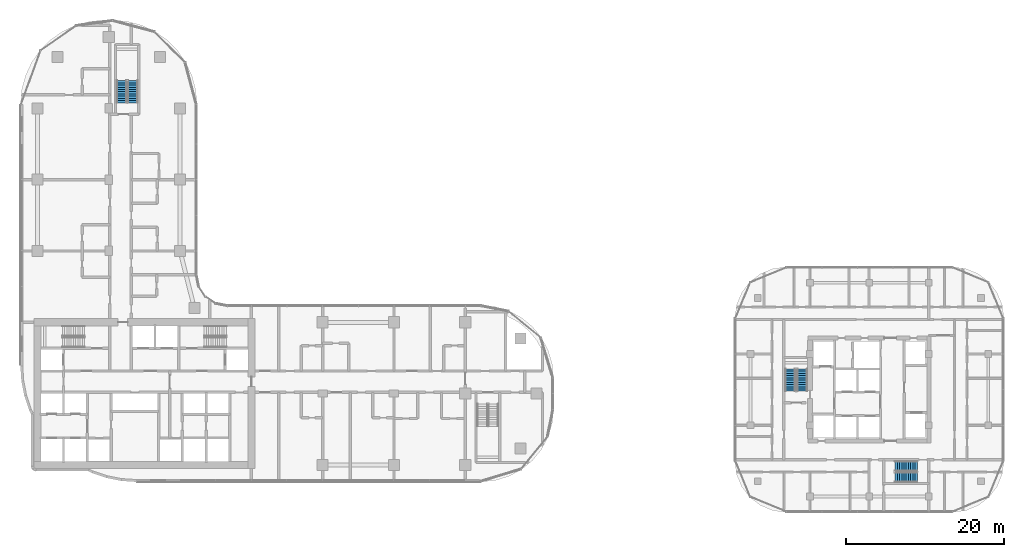
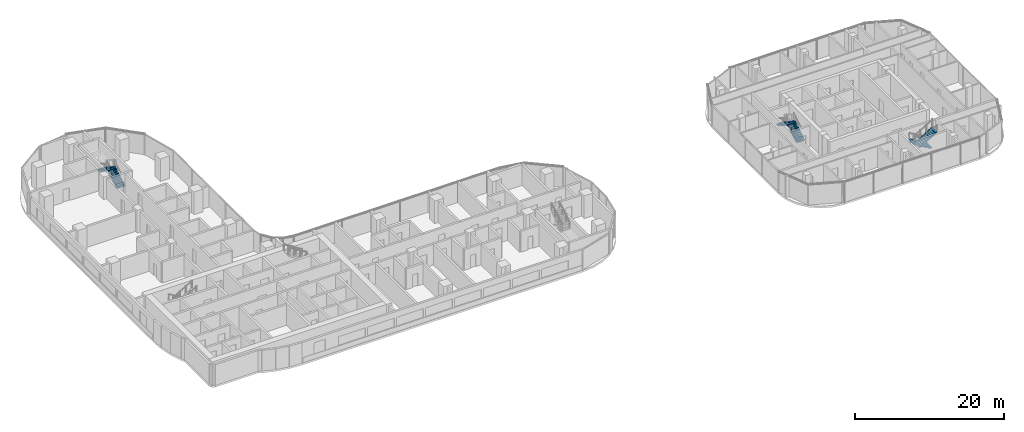
# One storey, part 26 of 32: 6 stair flights, 3 elements without a shape of their own.
"""IFC4 building model written with IfcOpenShell, lengths in metres."""

from ifc_helpers import new_model, si_unit, direction, frame, origin, place, context, subcontext, project, spatial, triangles, source, transform, mapped, material, type_object, element, aggregate, save


model = new_model("IFC4")

# Units and contexts
model_context = context("Model", 3, precision=1e-05, world=origin(), true_north=direction((0.0, 1.0)))
body_context = subcontext(model_context, "Body", "Model", "MODEL_VIEW")
ifc_project = project(units=[si_unit("LENGTHUNIT", "METRE"), si_unit("AREAUNIT", "SQUARE_METRE"), si_unit("VOLUMEUNIT", "CUBIC_METRE"), si_unit("PLANEANGLEUNIT", "RADIAN"), si_unit("MASSUNIT", "GRAM", prefix="KILO")], contexts=[model_context])

# Site, building, storey
site_placement = place(None, origin())
site = spatial("IfcSite", under=ifc_project, at=site_placement, CompositionType="ELEMENT")
building_placement = place(site_placement, origin())
building = spatial("IfcBuilding", under=site, at=building_placement, Name="Ogive Portal Towers", CompositionType="ELEMENT")
storey_placement = place(building_placement, frame((0.0, 0.0, 59.39990234375)))
storey = spatial("IfcBuildingStorey", under=building, at=storey_placement, Name="L13", CompositionType="ELEMENT", Elevation=59.39990234375)

# Stair, stair flights
ifc_material = material(Name="Concrete C40/50", Category="concrete")
stair_type = type_object("IfcStairType", Name="INT-STAIR", PredefinedType="HALF_TURN_STAIR", material=ifc_material)
stair_1_placement = place(storey_placement, origin())
stair_1 = element("IfcStair", 1, at=stair_1_placement, inside=storey, type_object=stair_type, Name="L13 Exit Stair ST-A3", PredefinedType="HALF_TURN_STAIR")
stair_flight_type = type_object("IfcStairFlightType", Name="INT-FLIGHT", PredefinedType="STRAIGHT", material=ifc_material)
shared_shape = source(origin(), body_context, "Body", "Tessellation", [
    triangles([(0.0, -0.650146484375, 0.0), (0.0, -0.376220703125, 0.0), (0.0, -0.192626953125, 0.0), (0.0, -0.081298828125, 0.0), (0.0, -0.024169921875, 0.0), (0.0, -0.003173828125, 0.0), (0.0, 0.0, 0.0), (0.0, 0.0029296875, 0.0), (0.0, 0.02392578125, 0.0), (0.0, 0.0810546875, 0.0), (0.0, 0.1923828125, 0.0), (0.0, 0.3759765625, 0.0), (0.0, 0.64990234375, 0.0), (0.0, -0.650146484375, 0.168212890625), (0.0, -0.376220703125, 0.168212890625), (0.0, -0.192626953125, 0.168212890625), (0.0, -0.081298828125, 0.168212890625), (0.0, -0.024169921875, 0.168212890625), (0.0, -0.003173828125, 0.168212890625), (0.0, 0.0, 0.168212890625), (0.0, 0.0029296875, 0.168212890625), (0.0, 0.02392578125, 0.168212890625), (0.0, 0.0810546875, 0.168212890625), (0.0, 0.1923828125, 0.168212890625), (0.0, 0.3759765625, 0.168212890625), (0.0, 0.64990234375, 0.168212890625), (0.280029296875, -0.650146484375, 0.168212890625), (0.280029296875, -0.376220703125, 0.168212890625), (0.280029296875, -0.192626953125, 0.168212890625), (0.280029296875, -0.081298828125, 0.168212890625), (0.280029296875, -0.024169921875, 0.168212890625), (0.280029296875, -0.003173828125, 0.168212890625), (0.280029296875, 0.0, 0.168212890625), (0.280029296875, 0.0029296875, 0.168212890625), (0.280029296875, 0.02392578125, 0.168212890625), (0.280029296875, 0.0810546875, 0.168212890625), (0.280029296875, 0.1923828125, 0.168212890625), (0.280029296875, 0.3759765625, 0.168212890625), (0.280029296875, 0.64990234375, 0.168212890625), (0.280029296875, -0.650146484375, 0.33642578125), (0.280029296875, -0.376220703125, 0.33642578125), (0.280029296875, -0.192626953125, 0.33642578125), (0.280029296875, -0.081298828125, 0.33642578125), (0.280029296875, -0.024169921875, 0.33642578125), (0.280029296875, -0.003173828125, 0.33642578125), (0.280029296875, 0.0, 0.33642578125), (0.280029296875, 0.0029296875, 0.33642578125), (0.280029296875, 0.02392578125, 0.33642578125), (0.280029296875, 0.0810546875, 0.33642578125), (0.280029296875, 0.1923828125, 0.33642578125), (0.280029296875, 0.3759765625, 0.33642578125), (0.280029296875, 0.64990234375, 0.33642578125), (0.56005859375, -0.650146484375, 0.33642578125), (0.56005859375, -0.376220703125, 0.33642578125), (0.56005859375, -0.192626953125, 0.33642578125), (0.56005859375, -0.081298828125, 0.33642578125), (0.56005859375, -0.024169921875, 0.33642578125), (0.56005859375, -0.003173828125, 0.33642578125), (0.56005859375, 0.0, 0.33642578125), (0.56005859375, 0.0029296875, 0.33642578125), (0.56005859375, 0.02392578125, 0.33642578125), (0.56005859375, 0.0810546875, 0.33642578125), (0.56005859375, 0.1923828125, 0.33642578125), (0.56005859375, 0.3759765625, 0.33642578125), (0.56005859375, 0.64990234375, 0.33642578125), (0.56005859375, -0.650146484375, 0.504638671875), (0.56005859375, -0.376220703125, 0.504638671875), (0.56005859375, -0.192626953125, 0.504638671875), (0.56005859375, -0.081298828125, 0.504638671875), (0.56005859375, -0.024169921875, 0.504638671875), (0.56005859375, -0.003173828125, 0.504638671875), (0.56005859375, 0.0, 0.504638671875), (0.56005859375, 0.0029296875, 0.504638671875), (0.56005859375, 0.02392578125, 0.504638671875), (0.56005859375, 0.0810546875, 0.504638671875), (0.56005859375, 0.1923828125, 0.504638671875), (0.56005859375, 0.3759765625, 0.504638671875), (0.56005859375, 0.64990234375, 0.504638671875), (0.840087890625, -0.650146484375, 0.504638671875), (0.840087890625, -0.376220703125, 0.504638671875), (0.840087890625, -0.192626953125, 0.504638671875), (0.840087890625, -0.081298828125, 0.504638671875), (0.840087890625, -0.024169921875, 0.504638671875), (0.840087890625, -0.003173828125, 0.504638671875), (0.840087890625, 0.0, 0.504638671875), (0.840087890625, 0.0029296875, 0.504638671875), (0.840087890625, 0.02392578125, 0.504638671875), (0.840087890625, 0.0810546875, 0.504638671875), (0.840087890625, 0.1923828125, 0.504638671875), (0.840087890625, 0.3759765625, 0.504638671875), (0.840087890625, 0.64990234375, 0.504638671875), (0.840087890625, -0.650146484375, 0.672607421875), (0.840087890625, -0.376220703125, 0.672607421875), (0.840087890625, -0.192626953125, 0.672607421875), (0.840087890625, -0.081298828125, 0.672607421875), (0.840087890625, -0.024169921875, 0.672607421875), (0.840087890625, -0.003173828125, 0.672607421875), (0.840087890625, 0.0, 0.672607421875), (0.840087890625, 0.0029296875, 0.672607421875), (0.840087890625, 0.02392578125, 0.672607421875), (0.840087890625, 0.0810546875, 0.672607421875), (0.840087890625, 0.1923828125, 0.672607421875), (0.840087890625, 0.3759765625, 0.672607421875), (0.840087890625, 0.64990234375, 0.672607421875), (1.1201171875, -0.650146484375, 0.672607421875), (1.1201171875, -0.376220703125, 0.672607421875), (1.1201171875, -0.192626953125, 0.672607421875), (1.1201171875, -0.081298828125, 0.672607421875), (1.1201171875, -0.024169921875, 0.672607421875), (1.1201171875, -0.003173828125, 0.672607421875), (1.1201171875, 0.0, 0.672607421875), (1.1201171875, 0.0029296875, 0.672607421875), (1.1201171875, 0.02392578125, 0.672607421875), (1.1201171875, 0.0810546875, 0.672607421875), (1.1201171875, 0.1923828125, 0.672607421875), (1.1201171875, 0.3759765625, 0.672607421875), (1.1201171875, 0.64990234375, 0.672607421875), (1.1201171875, -0.650146484375, 0.8408203125), (1.1201171875, -0.376220703125, 0.8408203125), (1.1201171875, -0.192626953125, 0.8408203125), (1.1201171875, -0.081298828125, 0.8408203125), (1.1201171875, -0.024169921875, 0.8408203125), (1.1201171875, -0.003173828125, 0.8408203125), (1.1201171875, 0.0, 0.8408203125), (1.1201171875, 0.0029296875, 0.8408203125), (1.1201171875, 0.02392578125, 0.8408203125), (1.1201171875, 0.0810546875, 0.8408203125), (1.1201171875, 0.1923828125, 0.8408203125), (1.1201171875, 0.3759765625, 0.8408203125), (1.1201171875, 0.64990234375, 0.8408203125), (1.39990234375, -0.650146484375, 0.8408203125), (1.39990234375, -0.376220703125, 0.8408203125), (1.39990234375, -0.192626953125, 0.8408203125), (1.39990234375, -0.081298828125, 0.8408203125), (1.39990234375, -0.024169921875, 0.8408203125), (1.39990234375, -0.003173828125, 0.8408203125), (1.39990234375, 0.0, 0.8408203125), (1.39990234375, 0.0029296875, 0.8408203125), (1.39990234375, 0.02392578125, 0.8408203125), (1.39990234375, 0.0810546875, 0.8408203125), (1.39990234375, 0.1923828125, 0.8408203125), (1.39990234375, 0.3759765625, 0.8408203125), (1.39990234375, 0.64990234375, 0.8408203125), (1.39990234375, -0.650146484375, 1.009033203125), (1.39990234375, -0.376220703125, 1.009033203125), (1.39990234375, -0.192626953125, 1.009033203125), (1.39990234375, -0.081298828125, 1.009033203125), (1.39990234375, -0.024169921875, 1.009033203125), (1.39990234375, -0.003173828125, 1.009033203125), (1.39990234375, 0.0, 1.009033203125), (1.39990234375, 0.0029296875, 1.009033203125), (1.39990234375, 0.02392578125, 1.009033203125), (1.39990234375, 0.0810546875, 1.009033203125), (1.39990234375, 0.1923828125, 1.009033203125), (1.39990234375, 0.3759765625, 1.009033203125), (1.39990234375, 0.64990234375, 1.009033203125), (1.679931640625, -0.650146484375, 1.009033203125), (1.679931640625, -0.376220703125, 1.009033203125), (1.679931640625, -0.192626953125, 1.009033203125), (1.679931640625, -0.081298828125, 1.009033203125), (1.679931640625, -0.024169921875, 1.009033203125), (1.679931640625, -0.003173828125, 1.009033203125), (1.679931640625, 0.0, 1.009033203125), (1.679931640625, 0.0029296875, 1.009033203125), (1.679931640625, 0.02392578125, 1.009033203125), (1.679931640625, 0.0810546875, 1.009033203125), (1.679931640625, 0.1923828125, 1.009033203125), (1.679931640625, 0.3759765625, 1.009033203125), (1.679931640625, 0.64990234375, 1.009033203125), (1.679931640625, -0.650146484375, 1.17724609375), (1.679931640625, -0.376220703125, 1.17724609375), (1.679931640625, -0.192626953125, 1.17724609375), (1.679931640625, -0.081298828125, 1.17724609375), (1.679931640625, -0.024169921875, 1.17724609375), (1.679931640625, -0.003173828125, 1.17724609375), (1.679931640625, 0.0, 1.17724609375), (1.679931640625, 0.0029296875, 1.17724609375), (1.679931640625, 0.02392578125, 1.17724609375), (1.679931640625, 0.0810546875, 1.17724609375), (1.679931640625, 0.1923828125, 1.17724609375), (1.679931640625, 0.3759765625, 1.17724609375), (1.679931640625, 0.64990234375, 1.17724609375), (1.9599609375, -0.650146484375, 1.17724609375), (1.9599609375, -0.376220703125, 1.17724609375), (1.9599609375, -0.192626953125, 1.17724609375), (1.9599609375, -0.081298828125, 1.17724609375), (1.9599609375, -0.024169921875, 1.17724609375), (1.9599609375, -0.003173828125, 1.17724609375), (1.9599609375, 0.0, 1.17724609375), (1.9599609375, 0.0029296875, 1.17724609375), (1.9599609375, 0.02392578125, 1.17724609375), (1.9599609375, 0.0810546875, 1.17724609375), (1.9599609375, 0.1923828125, 1.17724609375), (1.9599609375, 0.3759765625, 1.17724609375), (1.9599609375, 0.64990234375, 1.17724609375), (1.9599609375, -0.650146484375, 1.345458984375), (1.9599609375, -0.376220703125, 1.345458984375), (1.9599609375, -0.192626953125, 1.345458984375), (1.9599609375, -0.081298828125, 1.345458984375), (1.9599609375, -0.024169921875, 1.345458984375), (1.9599609375, -0.003173828125, 1.345458984375), (1.9599609375, 0.0, 1.345458984375), (1.9599609375, 0.0029296875, 1.345458984375), (1.9599609375, 0.02392578125, 1.345458984375), (1.9599609375, 0.0810546875, 1.345458984375), (1.9599609375, 0.1923828125, 1.345458984375), (1.9599609375, 0.3759765625, 1.345458984375), (1.9599609375, 0.64990234375, 1.345458984375), (2.239990234375, -0.650146484375, 1.345458984375), (2.239990234375, -0.376220703125, 1.345458984375), (2.239990234375, -0.192626953125, 1.345458984375), (2.239990234375, -0.081298828125, 1.345458984375), (2.239990234375, -0.024169921875, 1.345458984375), (2.239990234375, -0.003173828125, 1.345458984375), (2.239990234375, 0.0, 1.345458984375), (2.239990234375, 0.0029296875, 1.345458984375), (2.239990234375, 0.02392578125, 1.345458984375), (2.239990234375, 0.0810546875, 1.345458984375), (2.239990234375, 0.1923828125, 1.345458984375), (2.239990234375, 0.3759765625, 1.345458984375), (2.239990234375, 0.64990234375, 1.345458984375), (2.239990234375, -0.650146484375, 1.513671875), (2.239990234375, -0.376220703125, 1.513671875), (2.239990234375, -0.192626953125, 1.513671875), (2.239990234375, -0.081298828125, 1.513671875), (2.239990234375, -0.024169921875, 1.513671875), (2.239990234375, -0.003173828125, 1.513671875), (2.239990234375, 0.0, 1.513671875), (2.239990234375, 0.0029296875, 1.513671875), (2.239990234375, 0.02392578125, 1.513671875), (2.239990234375, 0.0810546875, 1.513671875), (2.239990234375, 0.1923828125, 1.513671875), (2.239990234375, 0.3759765625, 1.513671875), (2.239990234375, 0.64990234375, 1.513671875), (2.52001953125, -0.650146484375, 1.513671875), (2.52001953125, -0.376220703125, 1.513671875), (2.52001953125, -0.192626953125, 1.513671875), (2.52001953125, -0.081298828125, 1.513671875), (2.52001953125, -0.024169921875, 1.513671875), (2.52001953125, -0.003173828125, 1.513671875), (2.52001953125, 0.0, 1.513671875), (2.52001953125, 0.0029296875, 1.513671875), (2.52001953125, 0.02392578125, 1.513671875), (2.52001953125, 0.0810546875, 1.513671875), (2.52001953125, 0.1923828125, 1.513671875), (2.52001953125, 0.3759765625, 1.513671875), (2.52001953125, 0.64990234375, 1.513671875), (2.52001953125, -0.650146484375, 1.681884765625), (2.52001953125, -0.376220703125, 1.681884765625), (2.52001953125, -0.192626953125, 1.681884765625), (2.52001953125, -0.081298828125, 1.681884765625), (2.52001953125, -0.024169921875, 1.681884765625), (2.52001953125, -0.003173828125, 1.681884765625), (2.52001953125, 0.0, 1.681884765625), (2.52001953125, 0.0029296875, 1.681884765625), (2.52001953125, 0.02392578125, 1.681884765625), (2.52001953125, 0.0810546875, 1.681884765625), (2.52001953125, 0.1923828125, 1.681884765625), (2.52001953125, 0.3759765625, 1.681884765625), (2.52001953125, 0.64990234375, 1.681884765625), (2.800048828125, -0.650146484375, 1.681884765625), (2.800048828125, -0.376220703125, 1.681884765625), (2.800048828125, -0.192626953125, 1.681884765625), (2.800048828125, -0.081298828125, 1.681884765625), (2.800048828125, -0.024169921875, 1.681884765625), (2.800048828125, -0.003173828125, 1.681884765625), (2.800048828125, 0.0, 1.681884765625), (2.800048828125, 0.0029296875, 1.681884765625), (2.800048828125, 0.02392578125, 1.681884765625), (2.800048828125, 0.0810546875, 1.681884765625), (2.800048828125, 0.1923828125, 1.681884765625), (2.800048828125, 0.3759765625, 1.681884765625), (2.800048828125, 0.64990234375, 1.681884765625), (2.800048828125, -0.650146484375, 1.5068359375), (2.800048828125, -0.376220703125, 1.5068359375), (2.800048828125, -0.192626953125, 1.5068359375), (2.800048828125, -0.081298828125, 1.5068359375), (2.800048828125, -0.024169921875, 1.5068359375), (2.800048828125, -0.003173828125, 1.5068359375), (2.800048828125, 0.0, 1.5068359375), (2.800048828125, 0.0029296875, 1.5068359375), (2.800048828125, 0.02392578125, 1.5068359375), (2.800048828125, 0.0810546875, 1.5068359375), (2.800048828125, 0.1923828125, 1.5068359375), (2.800048828125, 0.3759765625, 1.5068359375), (2.800048828125, 0.64990234375, 1.5068359375), (0.291015625, -0.650146484375, 0.0), (0.291015625, -0.376220703125, 0.0), (0.291015625, -0.192626953125, 0.0), (0.291015625, -0.081298828125, 0.0), (0.291015625, -0.024169921875, 0.0), (0.291015625, -0.003173828125, 0.0), (0.291015625, 0.0, 0.0), (0.291015625, 0.0029296875, 0.0), (0.291015625, 0.02392578125, 0.0), (0.291015625, 0.0810546875, 0.0), (0.291015625, 0.1923828125, 0.0), (0.291015625, 0.3759765625, 0.0), (0.291015625, 0.64990234375, 0.0)], [[1, 14, 15], [1, 15, 2], [2, 15, 16], [2, 16, 3], [3, 16, 17], [3, 17, 4], [4, 17, 18], [4, 18, 5], [5, 18, 19], [5, 19, 6], [6, 19, 20], [6, 20, 7], [7, 20, 21], [7, 21, 8], [8, 21, 22], [8, 22, 9], [9, 22, 23], [9, 23, 10], [10, 23, 24], [10, 24, 11], [11, 24, 25], [11, 25, 12], [12, 25, 26], [12, 26, 13], [14, 27, 28], [14, 28, 15], [15, 28, 29], [15, 29, 16], [16, 29, 30], [16, 30, 17], [17, 30, 31], [17, 31, 18], [18, 31, 32], [18, 32, 19], [19, 32, 33], [19, 33, 20], [20, 33, 34], [20, 34, 21], [21, 34, 35], [21, 35, 22], [22, 35, 36], [22, 36, 23], [23, 36, 37], [23, 37, 24], [24, 37, 38], [24, 38, 25], [25, 38, 39], [25, 39, 26], [27, 40, 41], [27, 41, 28], [28, 41, 42], [28, 42, 29], [29, 42, 43], [29, 43, 30], [30, 43, 44], [30, 44, 31], [31, 44, 45], [31, 45, 32], [32, 45, 46], [32, 46, 33], [33, 46, 47], [33, 47, 34], [34, 47, 48], [34, 48, 35], [35, 48, 49], [35, 49, 36], [36, 49, 50], [36, 50, 37], [37, 50, 51], [37, 51, 38], [38, 51, 52], [38, 52, 39], [40, 53, 54], [40, 54, 41], [41, 54, 55], [41, 55, 42], [42, 55, 56], [42, 56, 43], [43, 56, 57], [43, 57, 44], [44, 57, 58], [44, 58, 45], [45, 58, 59], [45, 59, 46], [46, 59, 60], [46, 60, 47], [47, 60, 61], [47, 61, 48], [48, 61, 62], [48, 62, 49], [49, 62, 63], [49, 63, 50], [50, 63, 64], [50, 64, 51], [51, 64, 65], [51, 65, 52], [53, 66, 67], [53, 67, 54], [54, 67, 68], [54, 68, 55], [55, 68, 69], [55, 69, 56], [56, 69, 70], [56, 70, 57], [57, 70, 71], [57, 71, 58], [58, 71, 72], [58, 72, 59], [59, 72, 73], [59, 73, 60], [60, 73, 74], [60, 74, 61], [61, 74, 75], [61, 75, 62], [62, 75, 76], [62, 76, 63], [63, 76, 77], [63, 77, 64], [64, 77, 78], [64, 78, 65], [66, 79, 80], [66, 80, 67], [67, 80, 81], [67, 81, 68], [68, 81, 82], [68, 82, 69], [69, 82, 83], [69, 83, 70], [70, 83, 84], [70, 84, 71], [71, 84, 85], [71, 85, 72], [72, 85, 86], [72, 86, 73], [73, 86, 87], [73, 87, 74], [74, 87, 88], [74, 88, 75], [75, 88, 89], [75, 89, 76], [76, 89, 90], [76, 90, 77], [77, 90, 91], [77, 91, 78], [79, 92, 93], [79, 93, 80], [80, 93, 94], [80, 94, 81], [81, 94, 95], [81, 95, 82], [82, 95, 96], [82, 96, 83], [83, 96, 97], [83, 97, 84], [84, 97, 98], [84, 98, 85], [85, 98, 99], [85, 99, 86], [86, 99, 100], [86, 100, 87], [87, 100, 101], [87, 101, 88], [88, 101, 102], [88, 102, 89], [89, 102, 103], [89, 103, 90], [90, 103, 104], [90, 104, 91], [92, 105, 106], [92, 106, 93], [93, 106, 107], [93, 107, 94], [94, 107, 108], [94, 108, 95], [95, 108, 109], [95, 109, 96], [96, 109, 110], [96, 110, 97], [97, 110, 111], [97, 111, 98], [98, 111, 112], [98, 112, 99], [99, 112, 113], [99, 113, 100], [100, 113, 114], [100, 114, 101], [101, 114, 115], [101, 115, 102], [102, 115, 116], [102, 116, 103], [103, 116, 117], [103, 117, 104], [105, 118, 119], [105, 119, 106], [106, 119, 120], [106, 120, 107], [107, 120, 121], [107, 121, 108], [108, 121, 122], [108, 122, 109], [109, 122, 123], [109, 123, 110], [110, 123, 124], [110, 124, 111], [111, 124, 125], [111, 125, 112], [112, 125, 126], [112, 126, 113], [113, 126, 127], [113, 127, 114], [114, 127, 128], [114, 128, 115], [115, 128, 129], [115, 129, 116], [116, 129, 130], [116, 130, 117], [118, 131, 132], [118, 132, 119], [119, 132, 133], [119, 133, 120], [120, 133, 134], [120, 134, 121], [121, 134, 135], [121, 135, 122], [122, 135, 136], [122, 136, 123], [123, 136, 137], [123, 137, 124], [124, 137, 138], [124, 138, 125], [125, 138, 139], [125, 139, 126], [126, 139, 140], [126, 140, 127], [127, 140, 141], [127, 141, 128], [128, 141, 142], [128, 142, 129], [129, 142, 143], [129, 143, 130], [131, 144, 145], [131, 145, 132], [132, 145, 146], [132, 146, 133], [133, 146, 147], [133, 147, 134], [134, 147, 148], [134, 148, 135], [135, 148, 149], [135, 149, 136], [136, 149, 150], [136, 150, 137], [137, 150, 151], [137, 151, 138], [138, 151, 152], [138, 152, 139], [139, 152, 153], [139, 153, 140], [140, 153, 154], [140, 154, 141], [141, 154, 155], [141, 155, 142], [142, 155, 156], [142, 156, 143], [144, 157, 158], [144, 158, 145], [145, 158, 159], [145, 159, 146], [146, 159, 160], [146, 160, 147], [147, 160, 161], [147, 161, 148], [148, 161, 162], [148, 162, 149], [149, 162, 163], [149, 163, 150], [150, 163, 164], [150, 164, 151], [151, 164, 165], [151, 165, 152], [152, 165, 166], [152, 166, 153], [153, 166, 167], [153, 167, 154], [154, 167, 168], [154, 168, 155], [155, 168, 169], [155, 169, 156], [157, 170, 171], [157, 171, 158], [158, 171, 172], [158, 172, 159], [159, 172, 173], [159, 173, 160], [160, 173, 174], [160, 174, 161], [161, 174, 175], [161, 175, 162], [162, 175, 176], [162, 176, 163], [163, 176, 177], [163, 177, 164], [164, 177, 178], [164, 178, 165], [165, 178, 179], [165, 179, 166], [166, 179, 180], [166, 180, 167], [167, 180, 181], [167, 181, 168], [168, 181, 182], [168, 182, 169], [170, 183, 184], [170, 184, 171], [171, 184, 185], [171, 185, 172], [172, 185, 186], [172, 186, 173], [173, 186, 187], [173, 187, 174], [174, 187, 188], [174, 188, 175], [175, 188, 189], [175, 189, 176], [176, 189, 190], [176, 190, 177], [177, 190, 191], [177, 191, 178], [178, 191, 192], [178, 192, 179], [179, 192, 193], [179, 193, 180], [180, 193, 194], [180, 194, 181], [181, 194, 195], [181, 195, 182], [183, 196, 197], [183, 197, 184], [184, 197, 198], [184, 198, 185], [185, 198, 199], [185, 199, 186], [186, 199, 200], [186, 200, 187], [187, 200, 201], [187, 201, 188], [188, 201, 202], [188, 202, 189], [189, 202, 203], [189, 203, 190], [190, 203, 204], [190, 204, 191], [191, 204, 205], [191, 205, 192], [192, 205, 206], [192, 206, 193], [193, 206, 207], [193, 207, 194], [194, 207, 208], [194, 208, 195], [196, 209, 210], [196, 210, 197], [197, 210, 211], [197, 211, 198], [198, 211, 212], [198, 212, 199], [199, 212, 213], [199, 213, 200], [200, 213, 214], [200, 214, 201], [201, 214, 215], [201, 215, 202], [202, 215, 216], [202, 216, 203], [203, 216, 217], [203, 217, 204], [204, 217, 218], [204, 218, 205], [205, 218, 219], [205, 219, 206], [206, 219, 220], [206, 220, 207], [207, 220, 221], [207, 221, 208], [209, 222, 223], [209, 223, 210], [210, 223, 224], [210, 224, 211], [211, 224, 225], [211, 225, 212], [212, 225, 226], [212, 226, 213], [213, 226, 227], [213, 227, 214], [214, 227, 228], [214, 228, 215], [215, 228, 229], [215, 229, 216], [216, 229, 230], [216, 230, 217], [217, 230, 231], [217, 231, 218], [218, 231, 232], [218, 232, 219], [219, 232, 233], [219, 233, 220], [220, 233, 234], [220, 234, 221], [222, 235, 236], [222, 236, 223], [223, 236, 237], [223, 237, 224], [224, 237, 238], [224, 238, 225], [225, 238, 239], [225, 239, 226], [226, 239, 240], [226, 240, 227], [227, 240, 241], [227, 241, 228], [228, 241, 242], [228, 242, 229], [229, 242, 243], [229, 243, 230], [230, 243, 244], [230, 244, 231], [231, 244, 245], [231, 245, 232], [232, 245, 246], [232, 246, 233], [233, 246, 247], [233, 247, 234], [235, 248, 249], [235, 249, 236], [236, 249, 250], [236, 250, 237], [237, 250, 251], [237, 251, 238], [238, 251, 252], [238, 252, 239], [239, 252, 253], [239, 253, 240], [240, 253, 254], [240, 254, 241], [241, 254, 255], [241, 255, 242], [242, 255, 256], [242, 256, 243], [243, 256, 257], [243, 257, 244], [244, 257, 258], [244, 258, 245], [245, 258, 259], [245, 259, 246], [246, 259, 260], [246, 260, 247], [248, 261, 262], [248, 262, 249], [249, 262, 263], [249, 263, 250], [250, 263, 264], [250, 264, 251], [251, 264, 265], [251, 265, 252], [252, 265, 266], [252, 266, 253], [253, 266, 267], [253, 267, 254], [254, 267, 268], [254, 268, 255], [255, 268, 269], [255, 269, 256], [256, 269, 270], [256, 270, 257], [257, 270, 271], [257, 271, 258], [258, 271, 272], [258, 272, 259], [259, 272, 273], [259, 273, 260], [261, 274, 275], [261, 275, 262], [262, 275, 276], [262, 276, 263], [263, 276, 277], [263, 277, 264], [264, 277, 278], [264, 278, 265], [265, 278, 279], [265, 279, 266], [266, 279, 280], [266, 280, 267], [267, 280, 281], [267, 281, 268], [268, 281, 282], [268, 282, 269], [269, 282, 283], [269, 283, 270], [270, 283, 284], [270, 284, 271], [271, 284, 285], [271, 285, 272], [272, 285, 286], [272, 286, 273], [274, 287, 288], [274, 288, 275], [275, 288, 289], [275, 289, 276], [276, 289, 290], [276, 290, 277], [277, 290, 291], [277, 291, 278], [278, 291, 292], [278, 292, 279], [279, 292, 293], [279, 293, 280], [280, 293, 294], [280, 294, 281], [281, 294, 295], [281, 295, 282], [282, 295, 296], [282, 296, 283], [283, 296, 297], [283, 297, 284], [284, 297, 298], [284, 298, 285], [285, 298, 299], [285, 299, 286], [287, 1, 2], [287, 2, 288], [288, 2, 3], [288, 3, 289], [289, 3, 4], [289, 4, 290], [290, 4, 5], [290, 5, 291], [291, 5, 6], [291, 6, 292], [292, 6, 7], [292, 7, 293], [293, 7, 8], [293, 8, 294], [294, 8, 9], [294, 9, 295], [295, 9, 10], [295, 10, 296], [296, 10, 11], [296, 11, 297], [297, 11, 12], [297, 12, 298], [298, 12, 13], [298, 13, 299], [1, 287, 274], [13, 286, 299], [274, 261, 248], [286, 260, 273], [274, 248, 235], [286, 247, 260], [274, 235, 222], [286, 234, 247], [274, 222, 209], [286, 221, 234], [209, 196, 183], [221, 195, 208], [274, 209, 183], [286, 195, 221], [183, 170, 157], [195, 169, 182], [274, 183, 157], [286, 169, 195], [157, 144, 131], [169, 143, 156], [274, 157, 131], [286, 143, 169], [131, 118, 105], [143, 117, 130], [274, 131, 105], [286, 117, 143], [1, 274, 105], [13, 117, 286], [105, 92, 79], [117, 91, 104], [79, 66, 53], [91, 65, 78], [105, 79, 53], [117, 65, 91], [53, 40, 27], [65, 39, 52], [105, 53, 27], [117, 39, 65], [1, 105, 27], [13, 39, 117], [27, 14, 1], [39, 13, 26]], closed=True),
])
stair_flight_1_placement = place(storey_placement, frame((43.550048828125, 67.199951171875, 0.0), z_axis=(0.0, 0.0, 1.0), x_axis=(0.0, 1.0, 0.0)))
stair_flight_1 = element("IfcStairFlight", 2, at=stair_flight_1_placement, type_object=stair_flight_type, Name="ST-A3 flight 1", NumberOfRisers=11, NumberOfTreads=10, PredefinedType="STRAIGHT", RiserHeight=0.168181818, TreadLength=0.28, context=body_context, shape_type="MappedRepresentation", body=[
    mapped(shared_shape, transform((0.0, 0.0, 0.0), scale=1.0)),
])
stair_flight_2_placement = place(storey_placement, frame((42.14990234375, 70.0, 1.85009765625), z_axis=(0.0, 0.0, 1.0), x_axis=(0.0, -1.0, 0.0)))
stair_flight_2 = element("IfcStairFlight", 3, at=stair_flight_2_placement, type_object=stair_flight_type, Name="ST-A3 flight 2", NumberOfRisers=11, NumberOfTreads=10, PredefinedType="STRAIGHT", RiserHeight=0.168181818, TreadLength=0.28, context=body_context, shape_type="MappedRepresentation", body=[
    mapped(shared_shape, transform((0.0, 0.0, 0.0), scale=1.0)),
])
aggregate(stair_1, [stair_flight_1, stair_flight_2])

stair_2_placement = place(storey_placement, origin())
stair_2 = element("IfcStair", 4, at=stair_2_placement, inside=storey, type_object=stair_type, Name="L13 Exit Stair ST-B1", PredefinedType="HALF_TURN_STAIR")
stair_flight_3_placement = place(storey_placement, frame((128.050048828125, 30.800048828125, 0.0), z_axis=(0.0, 0.0, 1.0), x_axis=(0.0, 1.0, 0.0)))
stair_flight_3 = element("IfcStairFlight", 5, at=stair_flight_3_placement, type_object=stair_flight_type, Name="ST-B1 flight 1", NumberOfRisers=11, NumberOfTreads=10, PredefinedType="STRAIGHT", RiserHeight=0.168181818, TreadLength=0.28, context=body_context, shape_type="MappedRepresentation", body=[
    mapped(shared_shape, transform((0.0, 0.0, 0.0), scale=1.0)),
])
stair_flight_4_placement = place(storey_placement, frame((126.5, 33.60009765625, 1.85009765625), z_axis=(0.0, 0.0, 1.0), x_axis=(0.0, -1.0, 0.0)))
stair_flight_4 = element("IfcStairFlight", 6, at=stair_flight_4_placement, type_object=stair_flight_type, Name="ST-B1 flight 2", NumberOfRisers=11, NumberOfTreads=10, PredefinedType="STRAIGHT", RiserHeight=0.168181818, TreadLength=0.28, context=body_context, shape_type="MappedRepresentation", body=[
    mapped(shared_shape, transform((0.0, 0.0, 0.0), scale=1.0)),
])
aggregate(stair_2, [stair_flight_3, stair_flight_4])

stair_3_placement = place(storey_placement, origin())
stair_3 = element("IfcStair", 7, at=stair_3_placement, inside=storey, type_object=stair_type, Name="L13 Exit Stair ST-B2", PredefinedType="HALF_TURN_STAIR")
stair_flight_5_placement = place(storey_placement, frame((142.550048828125, 21.35009765625, 0.0), z_axis=(0.0, 0.0, 1.0), x_axis=(-1.0, 0.0, 0.0)))
stair_flight_5 = element("IfcStairFlight", 8, at=stair_flight_5_placement, type_object=stair_flight_type, Name="ST-B2 flight 1", NumberOfRisers=11, NumberOfTreads=10, PredefinedType="STRAIGHT", RiserHeight=0.168181818, TreadLength=0.28, context=body_context, shape_type="MappedRepresentation", body=[
    mapped(shared_shape, transform((0.0, 0.0, 0.0), scale=1.0)),
])
stair_flight_6_placement = place(storey_placement, frame((139.75, 19.949951171875, 1.85009765625), z_axis=(0.0, 0.0, 1.0), x_axis=(1.0, 0.0, 0.0)))
stair_flight_6 = element("IfcStairFlight", 9, at=stair_flight_6_placement, type_object=stair_flight_type, Name="ST-B2 flight 2", NumberOfRisers=11, NumberOfTreads=10, PredefinedType="STRAIGHT", RiserHeight=0.168181818, TreadLength=0.28, context=body_context, shape_type="MappedRepresentation", body=[
    mapped(shared_shape, transform((0.0, 0.0, 0.0), scale=1.0)),
])
aggregate(stair_3, [stair_flight_5, stair_flight_6])

save(model, "model.ifc")
